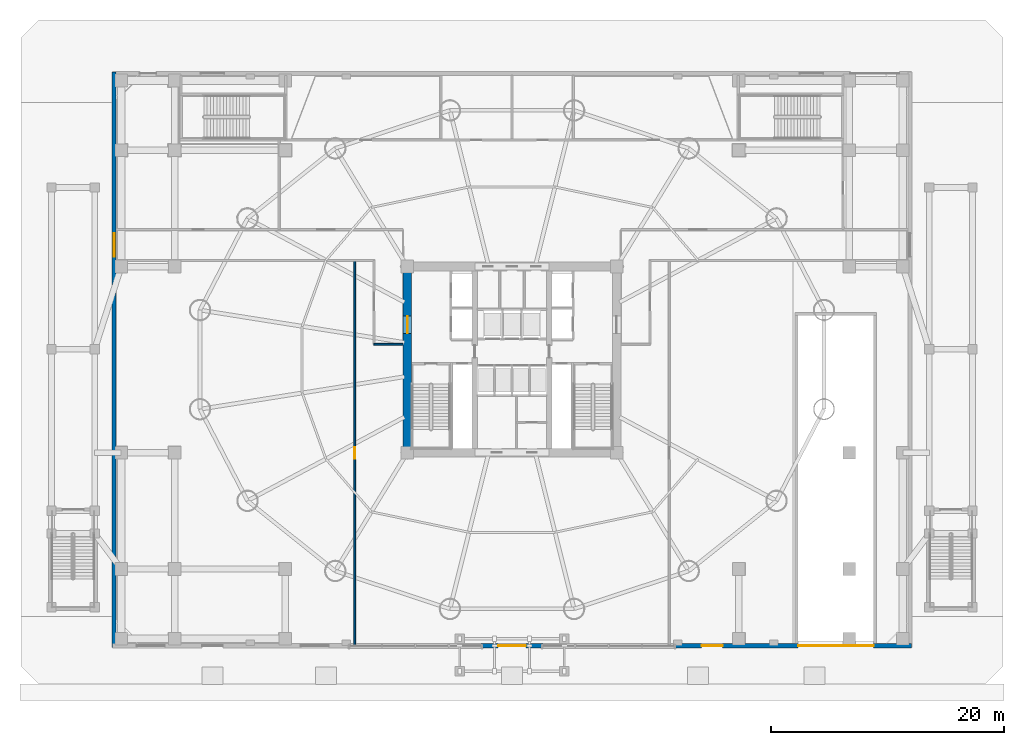
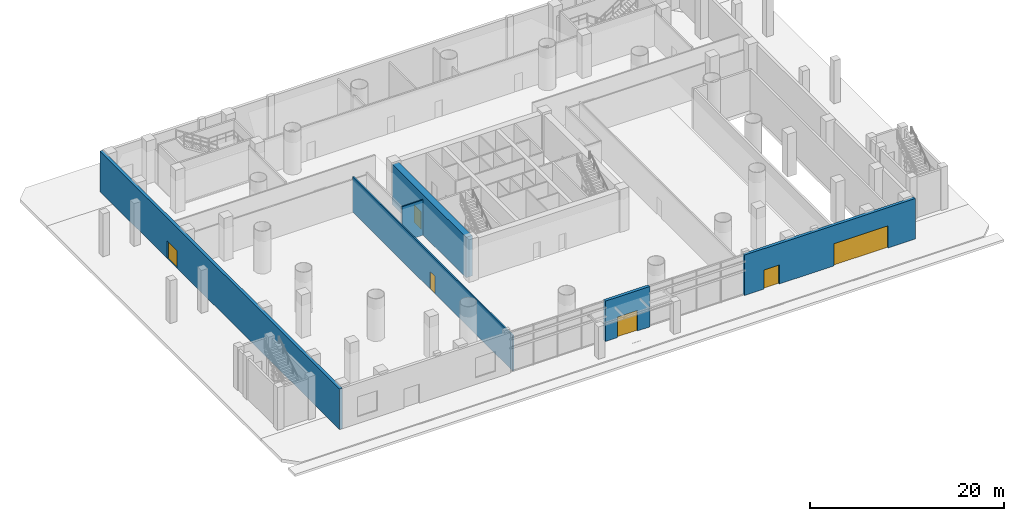
# One storey, part 9 of 25: 6 doors, 6 walls, 6 openings.
"""IFC4 building model written with IfcOpenShell, lengths in metres."""

from ifc_helpers import new_model, si_unit, direction, frame, frame_2d, origin, place, context, subcontext, project, spatial, rectangle, extrude, source, transform, mapped, material, layer, layer_set, type_object, element, fill, save


model = new_model("IFC4")

# Units and contexts
model_context = context("Model", 3, precision=1e-05, world=origin(), true_north=direction((-0.2419218956, 0.970295726276)))
body_context = subcontext(model_context, "Body", "Model", "MODEL_VIEW")
ifc_project = project(units=[si_unit("LENGTHUNIT", "METRE"), si_unit("AREAUNIT", "SQUARE_METRE"), si_unit("VOLUMEUNIT", "CUBIC_METRE"), si_unit("PLANEANGLEUNIT", "RADIAN"), si_unit("MASSUNIT", "GRAM", prefix="KILO")], contexts=[model_context])

# Site, building, storey
site_placement = place(None, origin())
site = spatial("IfcSite", under=ifc_project, at=site_placement, CompositionType="ELEMENT")
building_placement = place(site_placement, origin())
building = spatial("IfcBuilding", under=site, at=building_placement, Name="Cobrevalo Terracotta Tower", CompositionType="ELEMENT")
storey_placement = place(building_placement, origin())
storey = spatial("IfcBuildingStorey", under=building, at=storey_placement, Name="L00", CompositionType="ELEMENT", Elevation=0.0)

# Wall, opening, door
ifc_material_1 = material(Name="Concrete C45", Category="concrete")
ifc_layer_1 = layer(ifc_material_1, 0.35009765625)
ifc_layer_set_1 = layer_set([ifc_layer_1], Name="Concrete C45")
wall_type_1 = type_object("IfcWallType", Name="Board-marked precast architectural concrete facade wall 350 mm", PredefinedType="SOLIDWALL", material=ifc_layer_set_1)
wall_1_placement = place(storey_placement, frame((35.35009765625, 2.199951171875, 0.0), z_axis=(0.0, 0.0, 1.0), x_axis=(1.0, 0.0, 0.0)))
wall_1 = element("IfcWall", 1, at=wall_1_placement, inside=storey, type_object=wall_type_1, Name="L00 main entrance portal wall", PredefinedType="SOLIDWALL", context=body_context, shape_type="SweptSolid", body=[
    extrude(rectangle(XDim=5.2998046875, YDim=0.35009765625, at=frame_2d((2.64990234375, 0.0))), origin(), (0.0, 0.0, 1.0), 5.10009765625),
])
opening_1_placement = place(wall_1_placement, frame((1.449951171875, 0.0, 0.0)))
opening_1 = element("IfcOpeningElement", 2, at=opening_1_placement, cuts=wall_1, Name="Opening ED-13", PredefinedType="OPENING", context=body_context, shape_type="SweptSolid", body=[
    extrude(rectangle(XDim=2.39990234375, YDim=2.60009765625, at=frame_2d((1.199951171875, 1.300048828125))), frame((0.0, 0.18505859375, 0.0), z_axis=(0.0, -1.0, 0.0), x_axis=(1.0, 0.0, 0.0)), (0.0, 0.0, 1.0), 0.3701171875),
])
ifc_material_2 = material(Name="Anodized aluminium and laminated glass", Category="aluminium")
door_type_1 = type_object("IfcDoorType", Name="Main entrance bronze-framed glazed double door 2400x2600", OperationType="NOTDEFINED", PredefinedType="DOOR", material=ifc_material_2)
shared_shape_1 = source(origin(), body_context, "Body", "SweptSolid", [
    extrude(rectangle(XDim=2.39990234375, YDim=2.60009765625, at=frame_2d((1.199951171875, 1.300048828125))), frame((0.0, 0.02490234375, 0.0), z_axis=(0.0, -1.0, 0.0), x_axis=(1.0, 0.0, 0.0)), (0.0, 0.0, 1.0), 0.050048828125),
])
door_1_placement = place(opening_1_placement, frame((2.39990234375, 0.0, 0.0), z_axis=(0.0, 0.0, 1.0), x_axis=(-1.0, 0.0, 0.0)))
door_1 = element("IfcDoor", 3, at=door_1_placement, inside=storey, type_object=door_type_1, Name="L00 main grand arrival entrance door D-EX02", OperationType="DOUBLE_DOOR_SINGLE_SWING", OverallHeight=2.60009765625, OverallWidth=2.39990234375, PredefinedType="DOOR", context=body_context, shape_type="MappedRepresentation", body=[
    mapped(shared_shape_1, transform((0.0, 0.0, 0.0), scale=1.0)),
])
fill(opening_1, door_1)

# Wall, openings, doors
wall_2_placement = place(storey_placement, frame((51.949951171875, 2.199951171875, 0.0), z_axis=(0.0, 0.0, 1.0), x_axis=(1.0, 0.0, 0.0)))
wall_2 = element("IfcWall", 4, at=wall_2_placement, inside=storey, type_object=wall_type_1, Name="L00 south-east retail & vehicle portal wall", PredefinedType="SOLIDWALL", context=body_context, shape_type="SweptSolid", body=[
    extrude(rectangle(XDim=20.400146484375, YDim=0.35009765625, at=frame_2d((10.2001953125, 0.0))), origin(), (0.0, 0.0, 1.0), 5.10009765625),
])
opening_2_placement = place(wall_2_placement, frame((2.35009765625, 0.0, 0.0)))
opening_2 = element("IfcOpeningElement", 5, at=opening_2_placement, cuts=wall_2, Name="Opening ED-08", PredefinedType="OPENING", context=body_context, shape_type="SweptSolid", body=[
    extrude(rectangle(XDim=1.800048828125, YDim=2.39990234375, at=frame_2d((0.89990234375, 1.199951171875))), frame((0.0, 0.18505859375, 0.0), z_axis=(0.0, -1.0, 0.0), x_axis=(1.0, 0.0, 0.0)), (0.0, 0.0, 1.0), 0.3701171875),
])
opening_3_placement = place(wall_2_placement, frame((10.64990234375, 0.0, 0.0)))
opening_3 = element("IfcOpeningElement", 6, at=opening_3_placement, cuts=wall_2, Name="Opening ED-14", PredefinedType="OPENING", context=body_context, shape_type="SweptSolid", body=[
    extrude(rectangle(XDim=6.5, YDim=2.800048828125, at=frame_2d((3.25, 1.39990234375))), frame((0.0, 0.18505859375, 0.0), z_axis=(0.0, -1.0, 0.0), x_axis=(1.0, 0.0, 0.0)), (0.0, 0.0, 1.0), 0.3701171875),
])
door_type_2 = type_object("IfcDoorType", Name="Retail & garden terrace double glazed door 1800x2400", OperationType="NOTDEFINED", PredefinedType="DOOR", material=ifc_material_2)
shared_shape_2 = source(origin(), body_context, "Body", "SweptSolid", [
    extrude(rectangle(XDim=1.800048828125, YDim=2.39990234375, at=frame_2d((0.89990234375, 1.199951171875))), frame((0.0, 0.02490234375, 0.0), z_axis=(0.0, -1.0, 0.0), x_axis=(1.0, 0.0, 0.0)), (0.0, 0.0, 1.0), 0.050048828125),
])
door_2_placement = place(opening_2_placement, frame((1.800048828125, 0.0, 0.0), z_axis=(0.0, 0.0, 1.0), x_axis=(-1.0, 0.0, 0.0)))
door_2 = element("IfcDoor", 7, at=door_2_placement, inside=storey, type_object=door_type_2, Name="L00 south-east cafe promenade entrance D-EX03", OperationType="DOUBLE_DOOR_SINGLE_SWING", OverallHeight=2.39990234375, OverallWidth=1.800048828125, PredefinedType="DOOR", context=body_context, shape_type="MappedRepresentation", body=[
    mapped(shared_shape_2, transform((0.0, 0.0, 0.0), scale=1.0)),
])
fill(opening_2, door_2)
ifc_material_3 = material(Name="Galvanized powder-coated steel", Category="steel")
door_type_3 = type_object("IfcDoorType", Name="Motorised insulated steel car-park roller shutter gate 6500x2800", OperationType="ROLLINGUP", PredefinedType="GATE", material=ifc_material_3)
shared_shape_3 = source(origin(), body_context, "Body", "SweptSolid", [
    extrude(rectangle(XDim=6.5, YDim=2.800048828125, at=frame_2d((3.25, 1.39990234375))), frame((0.0, 0.02490234375, 0.0), z_axis=(0.0, -1.0, 0.0), x_axis=(1.0, 0.0, 0.0)), (0.0, 0.0, 1.0), 0.050048828125),
])
door_3_placement = place(opening_3_placement, origin())
door_3 = element("IfcDoor", 8, at=door_3_placement, inside=storey, type_object=door_type_3, Name="L00 subterranean car-park motorised roller shutter gate D-VEH01", OperationType="ROLLINGUP", OverallHeight=2.800048828125, OverallWidth=6.5, PredefinedType="GATE", context=body_context, shape_type="MappedRepresentation", body=[
    mapped(shared_shape_3, transform((0.0, 0.0, 0.0), scale=1.0)),
])
fill(opening_3, door_3)

# Wall, opening, door
wall_3_placement = place(storey_placement, frame((3.800048828125, 51.550048828125, 0.0), z_axis=(0.0, 0.0, 1.0), x_axis=(0.0, -1.0, 0.0)))
wall_3 = element("IfcWall", 9, at=wall_3_placement, inside=storey, type_object=wall_type_1, Name="L00 west facade wall", PredefinedType="SOLIDWALL", context=body_context, shape_type="SweptSolid", body=[
    extrude(rectangle(XDim=49.5, YDim=0.35009765625, at=frame_2d((24.75, 0.0))), origin(), (0.0, 0.0, 1.0), 5.10009765625),
])
opening_4_placement = place(wall_3_placement, frame((13.89990234375, 0.0, 0.0)))
opening_4 = element("IfcOpeningElement", 10, at=opening_4_placement, cuts=wall_3, Name="Opening ED-21", PredefinedType="OPENING", context=body_context, shape_type="SweptSolid", body=[
    extrude(rectangle(XDim=2.0, YDim=2.199951171875, at=frame_2d((1.0, 1.10009765625))), frame((0.0, 0.18505859375, 0.0), z_axis=(0.0, -1.0, 0.0), x_axis=(1.0, 0.0, 0.0)), (0.0, 0.0, 1.0), 0.3701171875),
])
door_type_4 = type_object("IfcDoorType", Name="Ground exit discharge fire-rated double door 2000x2200", OperationType="NOTDEFINED", PredefinedType="DOOR", material=ifc_material_2)
shared_shape_4 = source(origin(), body_context, "Body", "SweptSolid", [
    extrude(rectangle(XDim=2.0, YDim=2.199951171875, at=frame_2d((1.0, 1.10009765625))), frame((0.0, 0.02490234375, 0.0), z_axis=(0.0, -1.0, 0.0), x_axis=(1.0, 0.0, 0.0)), (0.0, 0.0, 1.0), 0.050048828125),
])
door_4_placement = place(opening_4_placement, frame((2.0, 0.0, 0.0), z_axis=(0.0, 0.0, 1.0), x_axis=(-1.0, 0.0, 0.0)))
door_4 = element("IfcDoor", 11, at=door_4_placement, inside=storey, type_object=door_type_4, Name="L00 west protected exit discharge door D-EX04", OperationType="DOUBLE_DOOR_SINGLE_SWING", OverallHeight=2.199951171875, OverallWidth=2.0, PredefinedType="DOOR", context=body_context, shape_type="MappedRepresentation", body=[
    mapped(shared_shape_4, transform((0.0, 0.0, 0.0), scale=1.0)),
])
fill(opening_4, door_4)

ifc_material_4 = material(Name="Concrete C60", Category="concrete")
ifc_layer_2 = layer(ifc_material_4, 0.75)
ifc_layer_set_2 = layer_set([ifc_layer_2], Name="Concrete C60")
wall_type_2 = type_object("IfcWallType", Name="Core shear wall 750 mm Concrete C60", PredefinedType="SHEAR", material=ifc_layer_set_2)
wall_4_placement = place(storey_placement, frame((29.0, 19.175048828125, 0.0), z_axis=(0.0, 0.0, 1.0), x_axis=(0.0, 1.0, 0.0)))
wall_4 = element("IfcWall", 12, at=wall_4_placement, inside=storey, type_object=wall_type_2, Name="L00 west core shear wall", PredefinedType="SHEAR", context=body_context, shape_type="SweptSolid", body=[
    extrude(rectangle(XDim=15.25, YDim=0.75, at=frame_2d((7.625, 0.0))), origin(), (0.0, 0.0, 1.0), 5.10009765625),
])
opening_5_placement = place(wall_4_placement, frame((9.875, 0.0, 0.0)))
opening_5 = element("IfcOpeningElement", 13, at=opening_5_placement, cuts=wall_4, Name="Opening ID-14", PredefinedType="OPENING", context=body_context, shape_type="SweptSolid", body=[
    extrude(rectangle(XDim=1.5, YDim=2.199951171875, at=frame_2d((0.75, 1.10009765625))), frame((0.0, 0.385009765625, 0.0), z_axis=(0.0, -1.0, 0.0), x_axis=(1.0, 0.0, 0.0)), (0.0, 0.0, 1.0), 0.77001953125),
])
ifc_material_5 = material(Name="Galvanized fire-rated steel", Category="steel")
door_type_5 = type_object("IfcDoorType", Name="Core cross-lobby double fire door 1500x2200 EI 90", OperationType="NOTDEFINED", PredefinedType="DOOR", material=ifc_material_5)
shared_shape_5 = source(origin(), body_context, "Body", "SweptSolid", [
    extrude(rectangle(XDim=1.5, YDim=2.199951171875, at=frame_2d((0.75, 1.10009765625))), frame((0.0, 0.02490234375, 0.0), z_axis=(0.0, -1.0, 0.0), x_axis=(1.0, 0.0, 0.0)), (0.0, 0.0, 1.0), 0.050048828125),
])
door_5_placement = place(opening_5_placement, origin())
door_5 = element("IfcDoor", 14, at=door_5_placement, inside=storey, type_object=door_type_5, Name="L00 west firefighting lobby entrance door", OperationType="DOUBLE_DOOR_SINGLE_SWING", OverallHeight=2.199951171875, OverallWidth=1.5, PredefinedType="DOOR", context=body_context, shape_type="MappedRepresentation", body=[
    mapped(shared_shape_5, transform((0.0, 0.0, 0.0), scale=1.0)),
])
fill(opening_5, door_5)

# Wall
ifc_material_6 = material(Name="Gypsum board on steel stud", Category="steel")
ifc_layer_3 = layer(ifc_material_6, 0.159912109375)
ifc_layer_set_3 = layer_set([ifc_layer_3], Name="Gypsum board on steel stud")
wall_type_3 = type_object("IfcWallType", Name="Fire-rated corridor acoustic partition wall 160 mm", PredefinedType="PARTITIONING", material=ifc_layer_set_3)
wall_5_placement = place(storey_placement, frame((26.1201171875, 28.1201171875, 0.0), z_axis=(0.0, 0.0, 1.0), x_axis=(1.0, 0.0, 0.0)))
element("IfcWall", 15, at=wall_5_placement, inside=storey, type_object=wall_type_3, Name="L00 interior partition IW-L00-EPW-B", PredefinedType="PARTITIONING", context=body_context, shape_type="SweptSolid", body=[
    extrude(rectangle(XDim=2.5048828125, YDim=0.159912109375, at=frame_2d((1.25244140625, 0.0))), origin(), (0.0, 0.0, 1.0), 4.449951171875),
])

# Wall, opening, door
wall_6_placement = place(storey_placement, frame((24.47998046875, 2.239990234375, 0.0), z_axis=(0.0, 0.0, 1.0), x_axis=(0.0, 1.0, 0.0)))
wall_6 = element("IfcWall", 16, at=wall_6_placement, inside=storey, type_object=wall_type_3, Name="L00 interior partition IW-L00-RW-E", PredefinedType="PARTITIONING", context=body_context, shape_type="SweptSolid", body=[
    extrude(rectangle(XDim=33.080078125, YDim=0.159912109375, at=frame_2d((16.5400390625, 0.0))), origin(), (0.0, 0.0, 1.0), 4.449951171875),
])
opening_6_placement = place(wall_6_placement, frame((16.050048828125, 0.0, 0.0)))
opening_6 = element("IfcOpeningElement", 17, at=opening_6_placement, cuts=wall_6, Name="Opening ID-05", PredefinedType="OPENING", context=body_context, shape_type="SweptSolid", body=[
    extrude(rectangle(XDim=0.97998046875, YDim=2.199951171875, at=frame_2d((0.489990234375, 1.10009765625))), frame((0.0, 0.08984375, 0.0), z_axis=(0.0, -1.0, 0.0), x_axis=(1.0, 0.0, 0.0)), (0.0, 0.0, 1.0), 0.179931640625),
])
ifc_material_7 = material(Name="Solid hardwood timber", Category="wood")
door_type_6 = type_object("IfcDoorType", Name="Residence entrance fire-rated acoustic timber door 980x2200 EI 60", OperationType="NOTDEFINED", PredefinedType="DOOR", material=ifc_material_7)
shared_shape_6 = source(origin(), body_context, "Body", "SweptSolid", [
    extrude(rectangle(XDim=0.97998046875, YDim=2.199951171875, at=frame_2d((0.489990234375, 1.10009765625))), frame((0.0, 0.02490234375, 0.0), z_axis=(0.0, -1.0, 0.0), x_axis=(1.0, 0.0, 0.0)), (0.0, 0.0, 1.0), 0.050048828125),
])
door_6_placement = place(opening_6_placement, frame((0.97998046875, 0.0, 0.0), z_axis=(0.0, 0.0, 1.0), x_axis=(-1.0, 0.0, 0.0)))
door_6 = element("IfcDoor", 18, at=door_6_placement, inside=storey, type_object=door_type_6, Name="South-West Promenade Boutique Retail door", OperationType="SINGLE_SWING_LEFT", OverallHeight=2.199951171875, OverallWidth=0.97998046875, PredefinedType="DOOR", context=body_context, shape_type="MappedRepresentation", body=[
    mapped(shared_shape_6, transform((0.0, 0.0, 0.0), scale=1.0)),
])
fill(opening_6, door_6)

save(model, "model.ifc")
